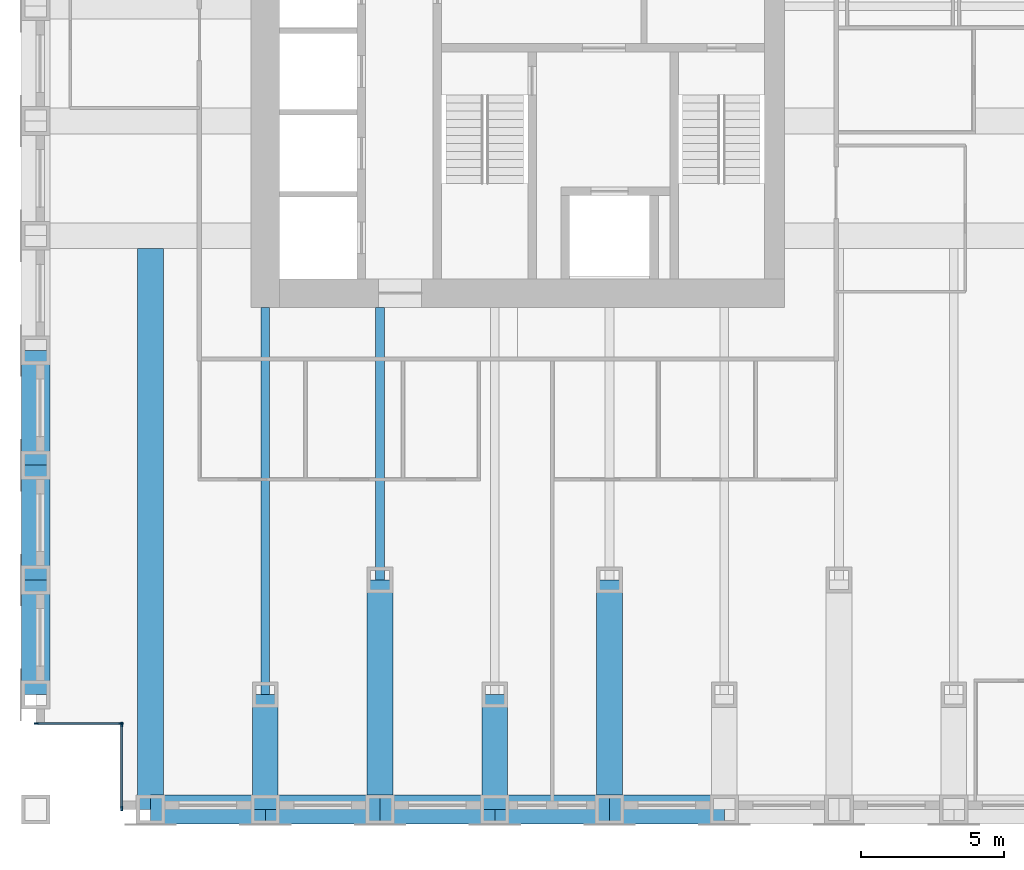
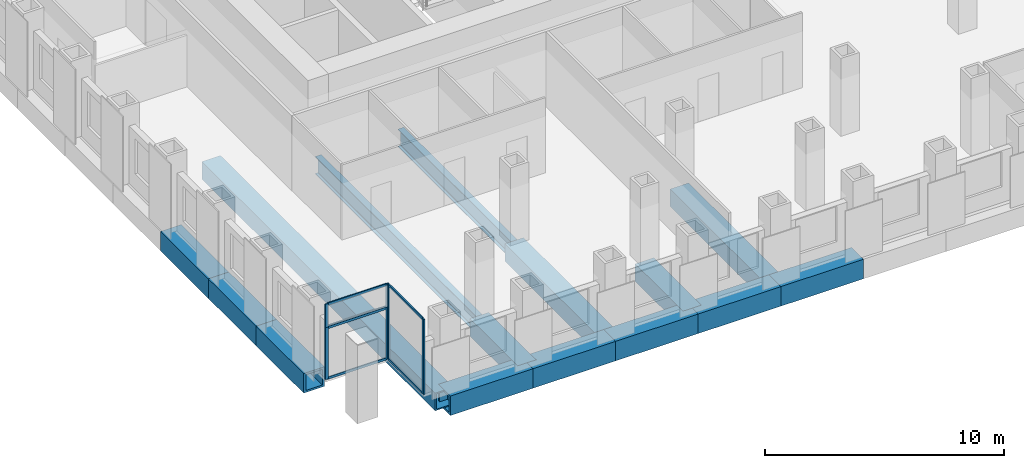
# One storey, part 2 of 17: 15 beams, 12 members, 3 elements without a shape of their own.
"""IFC4 building model written with IfcOpenShell, lengths in metres."""

from ifc_helpers import new_model, si_unit, direction, frame, origin, origin_2d, place, context, subcontext, project, spatial, rectangle, hollow_rectangle, i_section, extrude, material, material_profile, profile_set, type_object, element, aggregate, save


model = new_model("IFC4")

# Units and contexts
model_context = context("Model", 3, precision=1e-05, world=origin(), true_north=direction((0.0, 1.0)))
body_context = subcontext(model_context, "Body", "Model", "MODEL_VIEW")
ifc_project = project(units=[si_unit("LENGTHUNIT", "METRE"), si_unit("AREAUNIT", "SQUARE_METRE"), si_unit("VOLUMEUNIT", "CUBIC_METRE"), si_unit("PLANEANGLEUNIT", "RADIAN"), si_unit("MASSUNIT", "GRAM", prefix="KILO")], contexts=[model_context])

# Site, building, storey
site_placement = place(None, origin())
site = spatial("IfcSite", under=ifc_project, at=site_placement, CompositionType="ELEMENT")
building_placement = place(site_placement, origin())
building = spatial("IfcBuilding", under=site, at=building_placement, Name="Rimbunsela Tower", CompositionType="ELEMENT")
storey_placement = place(building_placement, frame((0.0, 0.0, 101.39990234375)))
storey = spatial("IfcBuildingStorey", under=building, at=storey_placement, Name="L24", CompositionType="ELEMENT", Elevation=101.39990234375)

# Beams
ifc_material_1 = material(Name="Steel BJ 55 (fy 410 MPa)", Category="steel")
ifc_material_profile_1 = material_profile(ifc_material_1, hollow_rectangle(XDim=1.0, YDim=1.0, WallThickness=0.10009765625, at=origin_2d()), Name="BOX 1000x1000x100")
ifc_profile_set_1 = profile_set([ifc_material_profile_1], Name="Steel BJ 55 (fy 410 MPa)")
beam_type_1 = type_object("IfcBeamType", Name="Beam BOX 1000x1000x100", PredefinedType="BEAM", material=ifc_profile_set_1)
for number, where, z_axis, x_axis, name in (
    (1, (10.0, 4.0, -0.64990234375), (0.0, 1.0, 0.0), (-1.0, 0.0, 0.0), "Beam B3 L24"),
    (2, (10.0, 8.0, -0.64990234375), (0.0, 1.0, 0.0), (-1.0, 0.0, 0.0), "Beam B3 L24"),
    (3, (10.0, 12.0, -0.64990234375), (0.0, 1.0, 0.0), (-1.0, 0.0, 0.0), "Beam B3 L24"),
    (4, (14.0, 0.0, -0.64990234375), (1.0, 0.0, 0.0), (0.0, 1.0, 0.0), "Beam B3 L24"),
    (5, (18.0, 0.0, -0.64990234375), (1.0, 0.0, 0.0), (0.0, 1.0, 0.0), "Beam B3 L24"),
    (6, (22.0, 0.0, -0.64990234375), (1.0, 0.0, 0.0), (0.0, 1.0, 0.0), "Beam B3 L24"),
    (7, (26.0, 0.0, -0.64990234375), (1.0, 0.0, 0.0), (0.0, 1.0, 0.0), "Beam B3 L24"),
    (8, (30.0, 0.0, -0.64990234375), (1.0, 0.0, 0.0), (0.0, 1.0, 0.0), "Beam B3 L24"),
):
    element("IfcBeam", number, at=place(storey_placement, frame(where, z_axis=z_axis, x_axis=x_axis)), inside=storey, type_object=beam_type_1, Name=name, PredefinedType="BEAM", context=body_context, shape_type="SweptSolid", body=[
        extrude(hollow_rectangle(XDim=1.0, YDim=1.0, WallThickness=0.10009765625, at=origin_2d()), origin(), (0.0, 0.0, 1.0), 4.0),
    ])
ifc_material_2 = material(Name="Steel BJ 55 (fy 410 MPa)", Category="steel")
ifc_material_profile_2 = material_profile(ifc_material_2, hollow_rectangle(XDim=0.89990234375, YDim=0.89990234375, WallThickness=0.06005859375, at=origin_2d()), Name="BOX 900x900x60")
ifc_profile_set_2 = profile_set([ifc_material_profile_2], Name="Steel BJ 55 (fy 410 MPa)")
beam_type_2 = type_object("IfcBeamType", Name="Beam BOX 900x900x60", PredefinedType="BEAM", material=ifc_profile_set_2)
beam_1_placement = place(storey_placement, frame((14.0, 0.0, -0.599853515625), z_axis=(0.0, 1.0, 0.0), x_axis=(-1.0, 0.0, 0.0)))
element("IfcBeam", 9, at=beam_1_placement, inside=storey, type_object=beam_type_2, Name="Beam B1 L24", PredefinedType="BEAM", context=body_context, shape_type="SweptSolid", body=[
    extrude(hollow_rectangle(XDim=0.89990234375, YDim=0.89990234375, WallThickness=0.06005859375, at=origin_2d()), origin(), (0.0, 0.0, 1.0), 19.550048828125),
])
beam_2_placement = place(storey_placement, frame((18.0, 0.0, -0.599853515625), z_axis=(0.0, 1.0, 0.0), x_axis=(-1.0, 0.0, 0.0)))
element("IfcBeam", 10, at=beam_2_placement, inside=storey, type_object=beam_type_2, Name="Beam B1 L24", PredefinedType="BEAM", context=body_context, shape_type="SweptSolid", body=[
    extrude(hollow_rectangle(XDim=0.89990234375, YDim=0.89990234375, WallThickness=0.06005859375, at=origin_2d()), origin(), (0.0, 0.0, 1.0), 4.0),
])
beam_3_placement = place(storey_placement, frame((22.0, 0.0, -0.599853515625), z_axis=(0.0, 1.0, 0.0), x_axis=(-1.0, 0.0, 0.0)))
element("IfcBeam", 11, at=beam_3_placement, inside=storey, type_object=beam_type_2, Name="Beam B1 L24", PredefinedType="BEAM", context=body_context, shape_type="SweptSolid", body=[
    extrude(hollow_rectangle(XDim=0.89990234375, YDim=0.89990234375, WallThickness=0.06005859375, at=origin_2d()), origin(), (0.0, 0.0, 1.0), 8.0),
])
beam_4_placement = place(storey_placement, frame((26.0, 0.0, -0.599853515625), z_axis=(0.0, 1.0, 0.0), x_axis=(-1.0, 0.0, 0.0)))
element("IfcBeam", 12, at=beam_4_placement, inside=storey, type_object=beam_type_2, Name="Beam B1 L24", PredefinedType="BEAM", context=body_context, shape_type="SweptSolid", body=[
    extrude(hollow_rectangle(XDim=0.89990234375, YDim=0.89990234375, WallThickness=0.06005859375, at=origin_2d()), origin(), (0.0, 0.0, 1.0), 4.0),
])
beam_5_placement = place(storey_placement, frame((30.0, 0.0, -0.599853515625), z_axis=(0.0, 1.0, 0.0), x_axis=(-1.0, 0.0, 0.0)))
element("IfcBeam", 13, at=beam_5_placement, inside=storey, type_object=beam_type_2, Name="Beam B1 L24", PredefinedType="BEAM", context=body_context, shape_type="SweptSolid", body=[
    extrude(hollow_rectangle(XDim=0.89990234375, YDim=0.89990234375, WallThickness=0.06005859375, at=origin_2d()), origin(), (0.0, 0.0, 1.0), 8.0),
])
ifc_material_3 = material(Name="Steel BJ 55 (fy 410 MPa)", Category="steel")
ifc_material_profile_3 = material_profile(ifc_material_3, i_section(OverallWidth=0.300048828125, OverallDepth=0.89990234375, WebThickness=0.01611328125, FlangeThickness=0.028076171875, FilletRadius=0.028076171875, at=origin_2d()), Name="H 900x300x16x28")
ifc_profile_set_3 = profile_set([ifc_material_profile_3], Name="Steel BJ 55 (fy 410 MPa)")
beam_type_3 = type_object("IfcBeamType", Name="Beam H 900x300x16x28", PredefinedType="BEAM", material=ifc_profile_set_3)
beam_6_placement = place(storey_placement, frame((18.0, 4.0, -0.599853515625), z_axis=(0.0, 1.0, 0.0), x_axis=(-1.0, 0.0, 0.0)))
element("IfcBeam", 14, at=beam_6_placement, inside=storey, type_object=beam_type_3, Name="Beam B2 L24", PredefinedType="BEAM", context=body_context, shape_type="SweptSolid", body=[
    extrude(i_section(OverallWidth=0.300048828125, OverallDepth=0.89990234375, WebThickness=0.01611328125, FlangeThickness=0.028076171875, FilletRadius=0.028076171875, at=origin_2d()), origin(), (0.0, 0.0, 1.0), 13.5),
])
beam_7_placement = place(storey_placement, frame((22.0, 8.0, -0.599853515625), z_axis=(0.0, 1.0, 0.0), x_axis=(-1.0, 0.0, 0.0)))
element("IfcBeam", 15, at=beam_7_placement, inside=storey, type_object=beam_type_3, Name="Beam B2 L24", PredefinedType="BEAM", context=body_context, shape_type="SweptSolid", body=[
    extrude(i_section(OverallWidth=0.300048828125, OverallDepth=0.89990234375, WebThickness=0.01611328125, FlangeThickness=0.028076171875, FilletRadius=0.028076171875, at=origin_2d()), origin(), (0.0, 0.0, 1.0), 9.5),
])

# Curtain wall, members
ifc_material_4 = material(Name="Aluminium curtain wall", Category="aluminium")
curtain_wall_type_1 = type_object("IfcCurtainWallType", Name="Corner glazing", PredefinedType="USERDEFINED", material=ifc_material_4)
curtain_wall_1_placement = place(storey_placement, origin())
curtain_wall_1 = element("IfcCurtainWall", 16, at=curtain_wall_1_placement, inside=storey, type_object=curtain_wall_type_1, Name="Corner glazing L24", ObjectType="CORNER GLAZING", PredefinedType="USERDEFINED")
ifc_material_5 = material(Name="Aluminium mullion", Category="aluminium")
ifc_material_profile_4 = material_profile(ifc_material_5, rectangle(XDim=0.06005859375, YDim=0.159912109375, at=origin_2d()), Name="Mullion 60x160")
ifc_profile_set_4 = profile_set([ifc_material_profile_4], Name="Aluminium mullion")
member_type_1 = type_object("IfcMemberType", Name="Curtain wall mullion 60x160", PredefinedType="MULLION", material=ifc_profile_set_4)
member_1_placement = place(storey_placement, frame((10.030029296875, 3.0, 0.0), z_axis=(0.0, 0.0, 1.0), x_axis=(0.0, 1.0, 0.0)))
member_1 = element("IfcMember", 17, at=member_1_placement, type_object=member_type_1, Name="CW5 mullion 1", PredefinedType="MULLION", context=body_context, shape_type="SweptSolid", body=[
    extrude(rectangle(XDim=0.06005859375, YDim=0.159912109375, at=origin_2d()), origin(), (0.0, 0.0, 1.0), 2.650146484375),
])
member_2_placement = place(storey_placement, frame((12.969970703125, 3.0, 0.0), z_axis=(0.0, 0.0, 1.0), x_axis=(0.0, 1.0, 0.0)))
member_2 = element("IfcMember", 18, at=member_2_placement, type_object=member_type_1, Name="CW5 mullion 2", PredefinedType="MULLION", context=body_context, shape_type="SweptSolid", body=[
    extrude(rectangle(XDim=0.06005859375, YDim=0.159912109375, at=origin_2d()), origin(), (0.0, 0.0, 1.0), 2.650146484375),
])

ifc_material_6 = material(Name="Aluminium curtain wall", Category="aluminium")
curtain_wall_type_2 = type_object("IfcCurtainWallType", Name="Spandrel wall", PredefinedType="USERDEFINED", material=ifc_material_6)
curtain_wall_2_placement = place(storey_placement, origin())
curtain_wall_2 = element("IfcCurtainWall", 19, at=curtain_wall_2_placement, inside=storey, type_object=curtain_wall_type_2, Name="Spandrel wall L24", ObjectType="SPANDREL WALL", PredefinedType="USERDEFINED")
member_3_placement = place(storey_placement, frame((10.030029296875, 3.0, 2.650146484375), z_axis=(0.0, 0.0, 1.0), x_axis=(0.0, 1.0, 0.0)))
member_3 = element("IfcMember", 20, at=member_3_placement, type_object=member_type_1, Name="CW7 mullion 1", PredefinedType="MULLION", context=body_context, shape_type="SweptSolid", body=[
    extrude(rectangle(XDim=0.06005859375, YDim=0.159912109375, at=origin_2d()), origin(), (0.0, 0.0, 1.0), 1.199951171875),
])
member_4_placement = place(storey_placement, frame((12.969970703125, 3.0, 2.650146484375), z_axis=(0.0, 0.0, 1.0), x_axis=(0.0, 1.0, 0.0)))
member_4 = element("IfcMember", 21, at=member_4_placement, type_object=member_type_1, Name="CW7 mullion 2", PredefinedType="MULLION", context=body_context, shape_type="SweptSolid", body=[
    extrude(rectangle(XDim=0.06005859375, YDim=0.159912109375, at=origin_2d()), origin(), (0.0, 0.0, 1.0), 1.199951171875),
])

curtain_wall_3_placement = place(storey_placement, origin())
curtain_wall_3 = element("IfcCurtainWall", 22, at=curtain_wall_3_placement, inside=storey, type_object=curtain_wall_type_1, Name="Corner glazing L24", ObjectType="CORNER GLAZING", PredefinedType="USERDEFINED")
member_5_placement = place(storey_placement, frame((13.0, 2.969970703125, 0.0), z_axis=(0.0, 0.0, 1.0), x_axis=(1.0, 0.0, 0.0)))
member_5 = element("IfcMember", 23, at=member_5_placement, type_object=member_type_1, Name="CW5 mullion 1", PredefinedType="MULLION", context=body_context, shape_type="SweptSolid", body=[
    extrude(rectangle(XDim=0.06005859375, YDim=0.159912109375, at=origin_2d()), origin(), (0.0, 0.0, 1.0), 3.85009765625),
])
member_6_placement = place(storey_placement, frame((13.0, 0.030029296875, 0.0), z_axis=(0.0, 0.0, 1.0), x_axis=(1.0, 0.0, 0.0)))
member_6 = element("IfcMember", 24, at=member_6_placement, type_object=member_type_1, Name="CW5 mullion 2", PredefinedType="MULLION", context=body_context, shape_type="SweptSolid", body=[
    extrude(rectangle(XDim=0.06005859375, YDim=0.159912109375, at=origin_2d()), origin(), (0.0, 0.0, 1.0), 3.85009765625),
])

# Member
ifc_material_7 = material(Name="Aluminium transom", Category="aluminium")
ifc_material_profile_5 = material_profile(ifc_material_7, rectangle(XDim=0.06005859375, YDim=0.1201171875, at=origin_2d()), Name="Transom 60x120")
ifc_profile_set_5 = profile_set([ifc_material_profile_5], Name="Aluminium transom")
member_type_2 = type_object("IfcMemberType", Name="Curtain wall transom 60x120", PredefinedType="USERDEFINED", material=ifc_profile_set_5)
member_7_placement = place(storey_placement, frame((10.06005859375, 3.0, 0.030029296875), z_axis=(1.0, 0.0, 0.0), x_axis=(0.0, 1.0, 0.0)))
member_7 = element("IfcMember", 25, at=member_7_placement, type_object=member_type_2, Name="CW5 transom 1.1", ObjectType="TRANSOM", PredefinedType="USERDEFINED", context=body_context, shape_type="SweptSolid", body=[
    extrude(rectangle(XDim=0.06005859375, YDim=0.1201171875, at=origin_2d()), origin(), (0.0, 0.0, 1.0), 2.8798828125),
])

member_8_placement = place(storey_placement, frame((10.06005859375, 3.0, 2.6201171875), z_axis=(1.0, 0.0, 0.0), x_axis=(0.0, 1.0, 0.0)))
member_8 = element("IfcMember", 26, at=member_8_placement, type_object=member_type_2, Name="CW5 transom 1.2", ObjectType="TRANSOM", PredefinedType="USERDEFINED", context=body_context, shape_type="SweptSolid", body=[
    extrude(rectangle(XDim=0.06005859375, YDim=0.1201171875, at=origin_2d()), origin(), (0.0, 0.0, 1.0), 2.8798828125),
])

aggregate(curtain_wall_1, [member_1, member_2, member_7, member_8])

member_9_placement = place(storey_placement, frame((10.06005859375, 3.0, 2.68017578125), z_axis=(1.0, 0.0, 0.0), x_axis=(0.0, 1.0, 0.0)))
member_9 = element("IfcMember", 27, at=member_9_placement, type_object=member_type_2, Name="CW7 transom 1.1", ObjectType="TRANSOM", PredefinedType="USERDEFINED", context=body_context, shape_type="SweptSolid", body=[
    extrude(rectangle(XDim=0.06005859375, YDim=0.1201171875, at=origin_2d()), origin(), (0.0, 0.0, 1.0), 2.8798828125),
])

member_10_placement = place(storey_placement, frame((10.06005859375, 3.0, 3.820068359375), z_axis=(1.0, 0.0, 0.0), x_axis=(0.0, 1.0, 0.0)))
member_10 = element("IfcMember", 28, at=member_10_placement, type_object=member_type_2, Name="CW7 transom 1.2", ObjectType="TRANSOM", PredefinedType="USERDEFINED", context=body_context, shape_type="SweptSolid", body=[
    extrude(rectangle(XDim=0.06005859375, YDim=0.1201171875, at=origin_2d()), origin(), (0.0, 0.0, 1.0), 2.8798828125),
])

aggregate(curtain_wall_2, [member_3, member_4, member_9, member_10])

member_11_placement = place(storey_placement, frame((13.0, 2.93994140625, 0.030029296875), z_axis=(0.0, -1.0, 0.0), x_axis=(1.0, 0.0, 0.0)))
member_11 = element("IfcMember", 29, at=member_11_placement, type_object=member_type_2, Name="CW5 transom 1.1", ObjectType="TRANSOM", PredefinedType="USERDEFINED", context=body_context, shape_type="SweptSolid", body=[
    extrude(rectangle(XDim=0.06005859375, YDim=0.1201171875, at=origin_2d()), origin(), (0.0, 0.0, 1.0), 2.8798828125),
])

member_12_placement = place(storey_placement, frame((13.0, 2.93994140625, 3.820068359375), z_axis=(0.0, -1.0, 0.0), x_axis=(1.0, 0.0, 0.0)))
member_12 = element("IfcMember", 30, at=member_12_placement, type_object=member_type_2, Name="CW5 transom 1.2", ObjectType="TRANSOM", PredefinedType="USERDEFINED", context=body_context, shape_type="SweptSolid", body=[
    extrude(rectangle(XDim=0.06005859375, YDim=0.1201171875, at=origin_2d()), origin(), (0.0, 0.0, 1.0), 2.8798828125),
])

aggregate(curtain_wall_3, [member_5, member_6, member_11, member_12])

save(model, "model.ifc")
